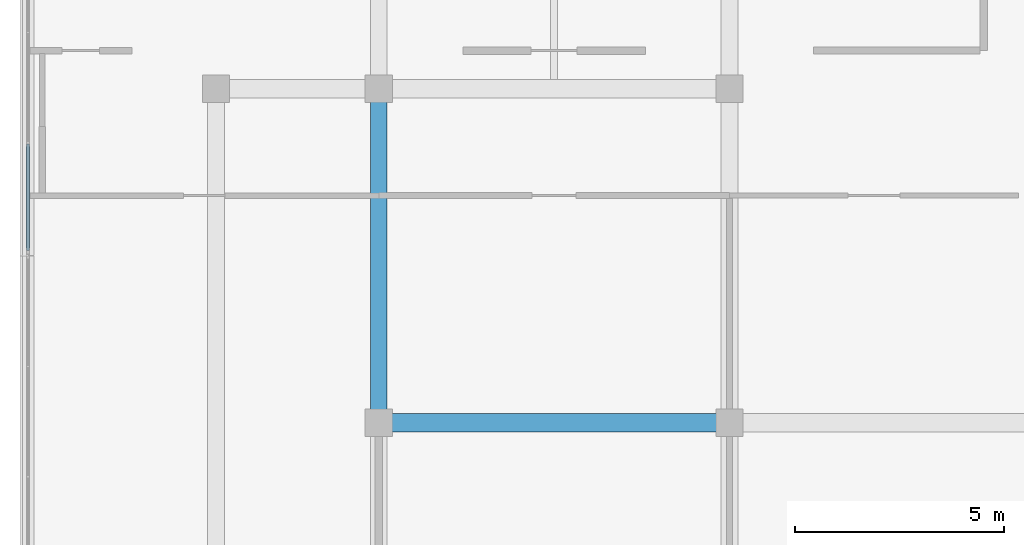
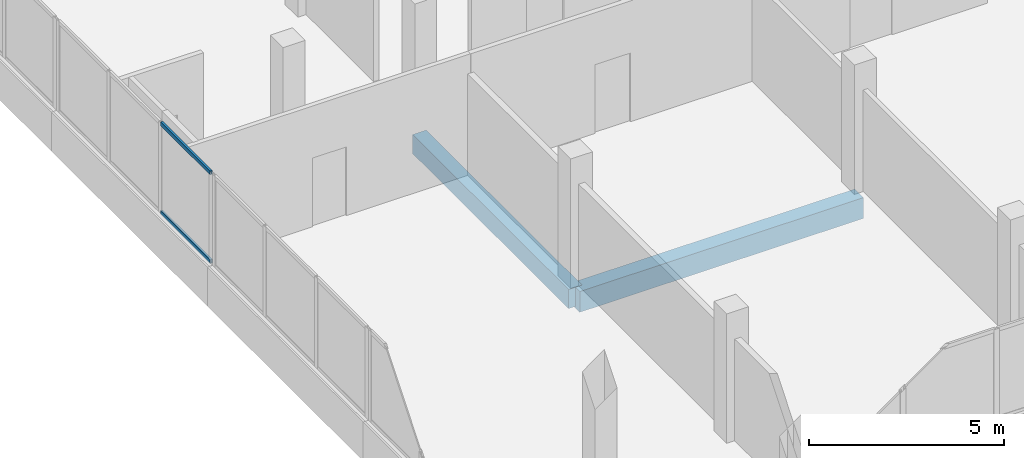
# One storey, part 15 of 76: 2 beams, 2 members, 1 element without a shape of its own.
"""IFC4 building model written with IfcOpenShell, lengths in metres."""

from ifc_helpers import new_model, si_unit, direction, frame, origin, origin_2d, place, context, subcontext, project, spatial, rectangle, hollow_rectangle, extrude, material, material_profile, profile_set, type_object, element, aggregate, save


model = new_model("IFC4")

# Units and contexts
model_context = context("Model", 3, precision=1e-05, world=origin(), true_north=direction((0.0, 1.0)))
body_context = subcontext(model_context, "Body", "Model", "MODEL_VIEW")
ifc_project = project(units=[si_unit("LENGTHUNIT", "METRE"), si_unit("AREAUNIT", "SQUARE_METRE"), si_unit("VOLUMEUNIT", "CUBIC_METRE"), si_unit("PLANEANGLEUNIT", "RADIAN"), si_unit("MASSUNIT", "GRAM", prefix="KILO")], contexts=[model_context])

# Site, building, storey
site_placement = place(None, origin())
site = spatial("IfcSite", under=ifc_project, at=site_placement, CompositionType="ELEMENT")
building_placement = place(site_placement, origin())
building = spatial("IfcBuilding", under=site, at=building_placement, Name="Selatvlak General Hospital", CompositionType="ELEMENT")
storey_placement = place(building_placement, frame((0.0, 0.0, 27.300048828125)))
storey = spatial("IfcBuildingStorey", under=building, at=storey_placement, Name="L06", CompositionType="ELEMENT", Elevation=27.300048828125)

# Beams
ifc_material_1 = material(Name="Concrete C40/50", Category="concrete")
ifc_material_profile_1 = material_profile(ifc_material_1, rectangle(XDim=0.449951171875, YDim=0.64990234375, at=origin_2d()), Name="RC-BM 450x650")
ifc_profile_set_1 = profile_set([ifc_material_profile_1], Name="Concrete C40/50")
beam_type_1 = type_object("IfcBeamType", Name="BM-G04", PredefinedType="BEAM", material=ifc_profile_set_1)
beam_1_placement = place(storey_placement, frame((31.199951171875, 100.0, -0.60009765625), z_axis=(1.0, 0.0, 0.0), x_axis=(0.0, 1.0, 0.0)))
element("IfcBeam", 1, at=beam_1_placement, inside=storey, type_object=beam_type_1, Name="Beam BMR-L06-2185", PredefinedType="BEAM", context=body_context, shape_type="SweptSolid", body=[
    extrude(rectangle(XDim=0.449951171875, YDim=0.64990234375, at=origin_2d()), origin(), (0.0, 0.0, 1.0), 8.400146484375),
])
ifc_material_profile_2 = material_profile(ifc_material_1, rectangle(XDim=0.39990234375, YDim=0.60009765625, at=origin_2d()), Name="RC-BM 400x600")
ifc_profile_set_2 = profile_set([ifc_material_profile_2], Name="Concrete C40/50")
beam_type_2 = type_object("IfcBeamType", Name="BM-G05", PredefinedType="BEAM", material=ifc_profile_set_2)
beam_2_placement = place(storey_placement, frame((31.199951171875, 100.0, -0.574951171875), z_axis=(0.0, 1.0, 0.0), x_axis=(-1.0, 0.0, 0.0)))
element("IfcBeam", 2, at=beam_2_placement, inside=storey, type_object=beam_type_2, Name="Beam BMR-L06-2247", PredefinedType="BEAM", context=body_context, shape_type="SweptSolid", body=[
    extrude(rectangle(XDim=0.39990234375, YDim=0.60009765625, at=origin_2d()), origin(), (0.0, 0.0, 1.0), 8.0),
])

# Curtain wall, members
ifc_material_2 = material(Name="Solar-control Low-E double glazing", Category="glass")
curtain_wall_type = type_object("IfcCurtainWallType", Name="CW-CW-02", PredefinedType="USERDEFINED", material=ifc_material_2)
curtain_wall_placement = place(storey_placement, origin())
curtain_wall = element("IfcCurtainWall", 3, at=curtain_wall_placement, inside=storey, type_object=curtain_wall_type, Name="Glazed facade curtain wall CW-L06-0596", ObjectType="UNITISED CURTAIN WALL", PredefinedType="USERDEFINED")
ifc_material_3 = material(Name="Dark anodised aluminium mullion", Category="aluminium")
ifc_material_profile_3 = material_profile(ifc_material_3, hollow_rectangle(XDim=0.06494140625, YDim=0.1201171875, WallThickness=0.00390625, at=origin_2d()), Name="AL-TRN 65x120x4")
ifc_profile_set_3 = profile_set([ifc_material_profile_3], Name="Dark anodised aluminium mullion")
member_type = type_object("IfcMemberType", Name="CWT-01", PredefinedType="USERDEFINED", material=ifc_profile_set_3)
member_1_placement = place(storey_placement, frame((22.800048828125, 104.12890625, 0.972412109375), z_axis=(0.0, 1.0, 0.0), x_axis=(-1.0, 0.0, 0.0)))
member_1 = element("IfcMember", 4, at=member_1_placement, type_object=member_type, Name="CW-02 transom 1.1", ObjectType="TRANSOM", PredefinedType="USERDEFINED", context=body_context, shape_type="SweptSolid", body=[
    extrude(hollow_rectangle(XDim=0.06494140625, YDim=0.1201171875, WallThickness=0.00390625, at=origin_2d()), origin(), (0.0, 0.0, 1.0), 2.54248046875),
])
member_2_placement = place(storey_placement, frame((22.800048828125, 104.12890625, 3.74755859375), z_axis=(0.0, 1.0, 0.0), x_axis=(-1.0, 0.0, 0.0)))
member_2 = element("IfcMember", 5, at=member_2_placement, type_object=member_type, Name="CW-02 transom 1.2", ObjectType="TRANSOM", PredefinedType="USERDEFINED", context=body_context, shape_type="SweptSolid", body=[
    extrude(hollow_rectangle(XDim=0.06494140625, YDim=0.1201171875, WallThickness=0.00390625, at=origin_2d()), origin(), (0.0, 0.0, 1.0), 2.54248046875),
])
aggregate(curtain_wall, [member_1, member_2])

save(model, "model.ifc")
